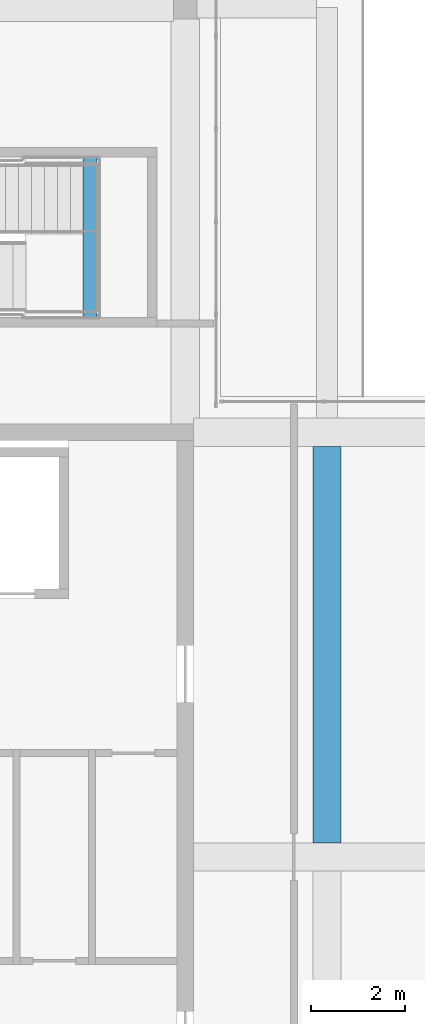
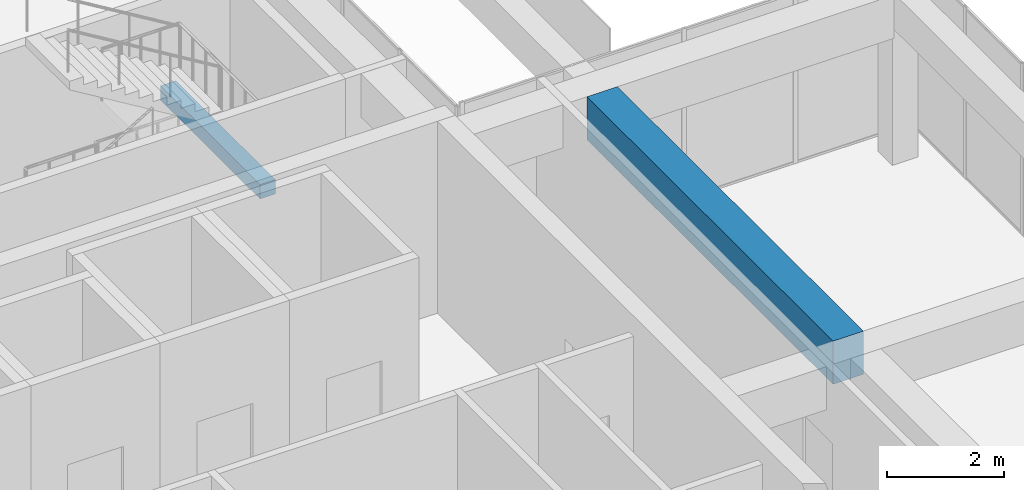
# One storey, part 14 of 36: 2 beams.
"""IFC4 building model written with IfcOpenShell, lengths in metres."""

from ifc_helpers import new_model, si_unit, direction, frame, origin, origin_2d, place, context, subcontext, project, spatial, rectangle, extrude, material, material_profile, profile_set, type_object, element, save


model = new_model("IFC4")

# Units and contexts
model_context = context("Model", 3, precision=1e-05, world=origin(), true_north=direction((0.0, 1.0)))
body_context = subcontext(model_context, "Body", "Model", "MODEL_VIEW")
ifc_project = project(units=[si_unit("LENGTHUNIT", "METRE"), si_unit("AREAUNIT", "SQUARE_METRE"), si_unit("VOLUMEUNIT", "CUBIC_METRE"), si_unit("PLANEANGLEUNIT", "RADIAN"), si_unit("MASSUNIT", "GRAM", prefix="KILO")], contexts=[model_context])

# Site, building, storey
site_placement = place(None, origin())
site = spatial("IfcSite", under=ifc_project, at=site_placement, CompositionType="ELEMENT")
building_placement = place(site_placement, origin())
building = spatial("IfcBuilding", under=site, at=building_placement, Name="Tuart Plaza Theatre", CompositionType="ELEMENT")
storey_placement = place(building_placement, frame((0.0, 0.0, 61.5)))
storey = spatial("IfcBuildingStorey", under=building, at=storey_placement, Name="L15", CompositionType="ELEMENT", Elevation=61.5)

# Beams
ifc_material_1 = material(Name="Concrete N40 (40 MPa)", Category="concrete")
ifc_material_profile_1 = material_profile(ifc_material_1, rectangle(XDim=0.300048828125, YDim=0.300048828125, at=origin_2d()), Name="BEAM 300x300 Concrete N40 (40 MPa)")
ifc_profile_set_1 = profile_set([ifc_material_profile_1], Name="Concrete N40 (40 MPa)")
beam_type_1 = type_object("IfcBeamType", Name="BEAM 300x300 Concrete N40 (40 MPa)", PredefinedType="BEAM", material=ifc_profile_set_1)
beam_1_placement = place(storey_placement, frame((138.97998046875, 85.425048828125, 1.64990234375), z_axis=(0.0, 1.0, 0.0), x_axis=(-1.0, 0.0, 0.0)))
element("IfcBeam", 1, at=beam_1_placement, inside=storey, type_object=beam_type_1, Name="RB527", PredefinedType="BEAM", context=body_context, shape_type="SweptSolid", body=[
    extrude(rectangle(XDim=0.300048828125, YDim=0.300048828125, at=origin_2d()), origin(), (0.0, 0.0, 1.0), 3.39990234375),
])
ifc_material_2 = material(Name="Concrete N40 (40 MPa)", Category="concrete")
ifc_material_profile_2 = material_profile(ifc_material_2, rectangle(XDim=0.60009765625, YDim=0.89990234375, at=origin_2d()), Name="BEAM 600x900 Concrete N40 (40 MPa)")
ifc_profile_set_2 = profile_set([ifc_material_profile_2], Name="Concrete N40 (40 MPa)")
beam_type_2 = type_object("IfcBeamType", Name="BEAM 600x900 Concrete N40 (40 MPa)", PredefinedType="BEAM", material=ifc_profile_set_2)
beam_2_placement = place(storey_placement, frame((144.0, 74.300048828125, 3.1298828125), z_axis=(0.0, 1.0, 0.0), x_axis=(-1.0, 0.0, 0.0)))
element("IfcBeam", 2, at=beam_2_placement, inside=storey, type_object=beam_type_2, Name="RB351", PredefinedType="BEAM", context=body_context, shape_type="SweptSolid", body=[
    extrude(rectangle(XDim=0.60009765625, YDim=0.89990234375, at=origin_2d()), origin(), (0.0, 0.0, 1.0), 8.39990234375),
])

save(model, "model.ifc")
